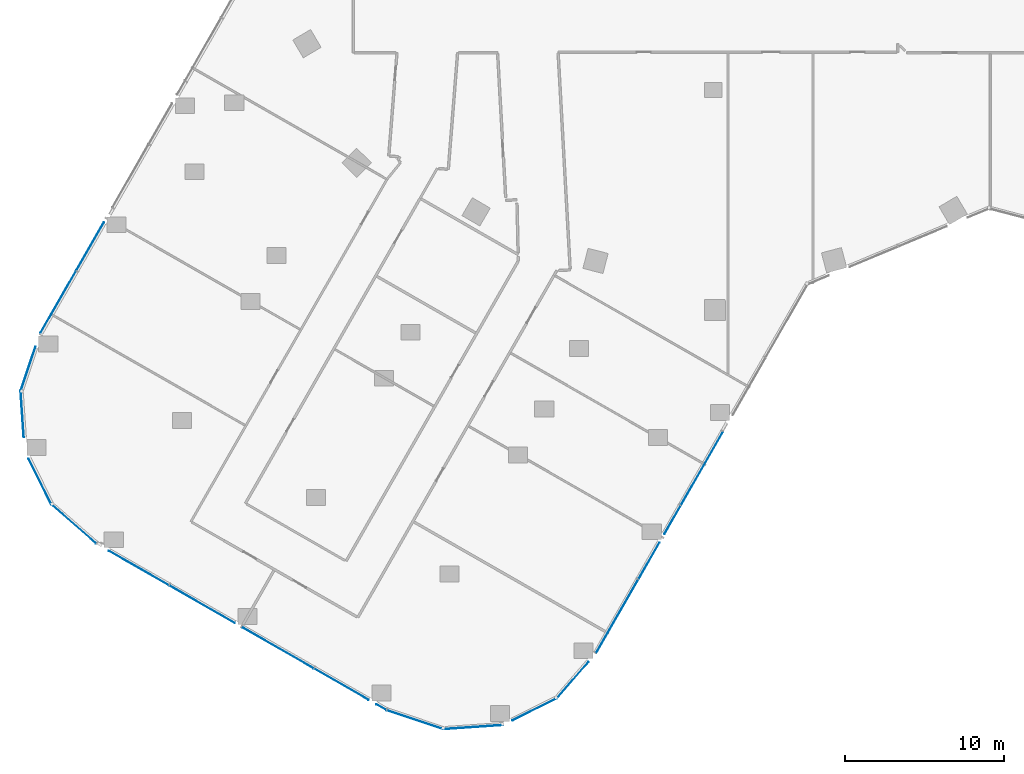
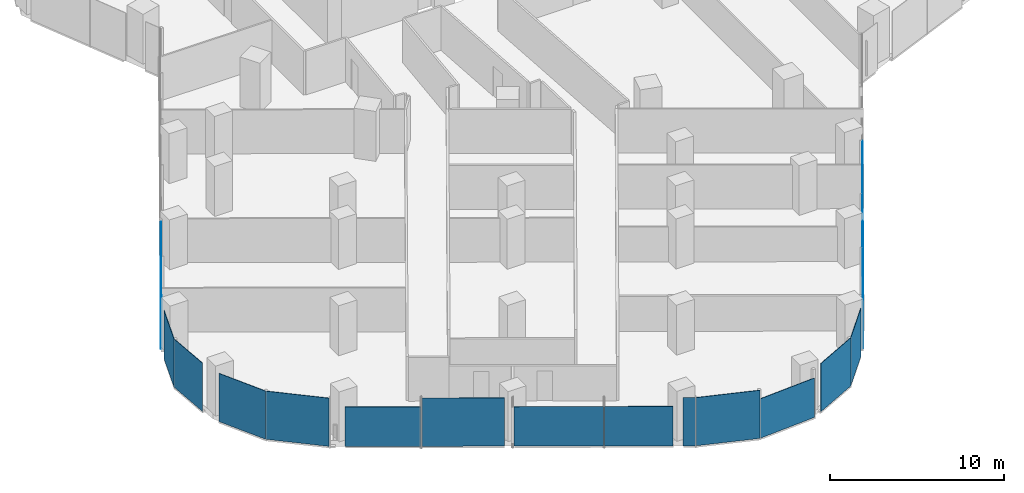
# One storey, part 18 of 35: 19 plates, 11 elements without a shape of their own.
"""IFC4 building model written with IfcOpenShell, lengths in metres."""

from ifc_helpers import new_model, si_unit, direction, frame, origin, origin_2d, place, context, subcontext, project, spatial, rectangle, extrude, material, layer, layer_set, type_object, element, aggregate, save


model = new_model("IFC4")

# Units and contexts
model_context = context("Model", 3, precision=1e-05, world=origin(), true_north=direction((0.0, 1.0)))
body_context = subcontext(model_context, "Body", "Model", "MODEL_VIEW")
ifc_project = project(units=[si_unit("LENGTHUNIT", "METRE"), si_unit("AREAUNIT", "SQUARE_METRE"), si_unit("VOLUMEUNIT", "CUBIC_METRE"), si_unit("PLANEANGLEUNIT", "RADIAN"), si_unit("MASSUNIT", "GRAM", prefix="KILO")], contexts=[model_context])

# Site, building, storey
site_placement = place(None, origin())
site = spatial("IfcSite", under=ifc_project, at=site_placement, CompositionType="ELEMENT")
building_placement = place(site_placement, origin())
building = spatial("IfcBuilding", under=site, at=building_placement, Name="Orlundy Tower", CompositionType="ELEMENT")
storey_placement = place(building_placement, frame((0.0, 0.0, 116.199951171875)))
storey = spatial("IfcBuildingStorey", under=building, at=storey_placement, Name="L29", CompositionType="ELEMENT", Elevation=116.199951171875)

# Curtain wall, plates
ifc_material_1 = material(Name="Aluminium bronze anodised", Category="aluminium")
curtain_wall_type = type_object("IfcCurtainWallType", Name="CW1 wall", PredefinedType="NOTDEFINED", material=ifc_material_1)
curtain_wall_1_placement = place(storey_placement, origin())
curtain_wall_1 = element("IfcCurtainWall", 1, at=curtain_wall_1_placement, inside=storey, type_object=curtain_wall_type, Name="CW1 run 02", PredefinedType="NOTDEFINED")
ifc_material_2 = material(Name="Tinted glass", Category="glass")
ifc_layer = layer(ifc_material_2, 0.031982421875)
ifc_layer_set = layer_set([ifc_layer], Name="CW1 glass panel 32")
plate_type = type_object("IfcPlateType", Name="CW1 glass panel 32", PredefinedType="CURTAIN_PANEL", material=ifc_layer_set)
plate_1_placement = place(storey_placement, frame((-0.7197265625, -41.78759765625, -0.27978515625), z_axis=(0.0, 0.0, 1.0), x_axis=(-0.497473280125, -0.867479299789, 0.0)))
plate_1 = element("IfcPlate", 2, at=plate_1_placement, type_object=plate_type, Name="CW1 panel", PredefinedType="CURTAIN_PANEL", context=body_context, shape_type="SweptSolid", body=[
    extrude(rectangle(XDim=5.306640625, YDim=0.031982421875, at=origin_2d()), origin(), (0.0, 0.0, 1.0), 3.3798828125),
])
plate_2_placement = place(storey_placement, frame((-2.57373046875, -45.0205078125, -0.27978515625), z_axis=(0.0, 0.0, 1.0), x_axis=(-0.497473280125, -0.867479299789, 0.0)))
plate_2 = element("IfcPlate", 3, at=plate_2_placement, type_object=plate_type, Name="CW1 panel", PredefinedType="CURTAIN_PANEL", context=body_context, shape_type="SweptSolid", body=[
    extrude(rectangle(XDim=2.047119140625, YDim=0.031982421875, at=origin_2d()), origin(), (0.0, 0.0, 1.0), 3.3798828125),
])
plate_3_placement = place(storey_placement, frame((-4.053955078125, -47.6015625, -0.27978515625), z_axis=(0.0, 0.0, 1.0), x_axis=(-0.497473280125, -0.867479299789, 0.0)))
plate_3 = element("IfcPlate", 4, at=plate_3_placement, type_object=plate_type, Name="CW1 panel", PredefinedType="CURTAIN_PANEL", context=body_context, shape_type="SweptSolid", body=[
    extrude(rectangle(XDim=2.61572265625, YDim=0.031982421875, at=origin_2d()), origin(), (0.0, 0.0, 1.0), 3.3798828125),
])
plate_4_placement = place(storey_placement, frame((-6.05322265625, -51.088134765625, -0.27978515625), z_axis=(0.0, 0.0, 1.0), x_axis=(-0.497473280125, -0.867479299789, 0.0)))
plate_4 = element("IfcPlate", 5, at=plate_4_placement, type_object=plate_type, Name="CW1 panel", PredefinedType="CURTAIN_PANEL", context=body_context, shape_type="SweptSolid", body=[
    extrude(rectangle(XDim=5.32275390625, YDim=0.031982421875, at=origin_2d()), origin(), (0.0, 0.0, 1.0), 3.3798828125),
])
aggregate(curtain_wall_1, [plate_1, plate_2, plate_3, plate_4])

# Curtain wall, plate
curtain_wall_2_placement = place(storey_placement, origin())
curtain_wall_2 = element("IfcCurtainWall", 6, at=curtain_wall_2_placement, inside=storey, type_object=curtain_wall_type, Name="CW1 run 03", PredefinedType="NOTDEFINED")
plate_5_placement = place(storey_placement, frame((-8.857177734375, -55.1015625, -0.27978515625), z_axis=(0.0, 0.0, 1.0), x_axis=(-0.657166641446, -0.753745318639, 0.0)))
plate_5 = element("IfcPlate", 7, at=plate_5_placement, type_object=plate_type, Name="CW1 panel", PredefinedType="CURTAIN_PANEL", context=body_context, shape_type="SweptSolid", body=[
    extrude(rectangle(XDim=3.045166015625, YDim=0.031982421875, at=origin_2d()), origin(), (0.0, 0.0, 1.0), 3.3798828125),
])
aggregate(curtain_wall_2, [plate_5])

curtain_wall_3_placement = place(storey_placement, origin())
curtain_wall_3 = element("IfcCurtainWall", 8, at=curtain_wall_3_placement, inside=storey, type_object=curtain_wall_type, Name="CW1 run 04", PredefinedType="NOTDEFINED")
plate_6_placement = place(storey_placement, frame((-11.247314453125, -56.939453125, -0.27978515625), z_axis=(0.0, 0.0, 1.0), x_axis=(-0.895610995013, -0.444838111689, 0.0)))
plate_6 = element("IfcPlate", 9, at=plate_6_placement, type_object=plate_type, Name="CW1 panel", PredefinedType="CURTAIN_PANEL", context=body_context, shape_type="SweptSolid", body=[
    extrude(rectangle(XDim=3.10302734375, YDim=0.031982421875, at=origin_2d()), origin(), (0.0, 0.0, 1.0), 3.3798828125),
])
aggregate(curtain_wall_3, [plate_6])

curtain_wall_4_placement = place(storey_placement, origin())
curtain_wall_4 = element("IfcCurtainWall", 10, at=curtain_wall_4_placement, inside=storey, type_object=curtain_wall_type, Name="CW1 run 05", PredefinedType="NOTDEFINED")
plate_7_placement = place(storey_placement, frame((-15.11767578125, -58.056640625, -0.27978515625), z_axis=(0.0, 0.0, 1.0), x_axis=(-0.99764944579, -0.068524326451, 0.0)))
plate_7 = element("IfcPlate", 11, at=plate_7_placement, type_object=plate_type, Name="CW1 panel", PredefinedType="CURTAIN_PANEL", context=body_context, shape_type="SweptSolid", body=[
    extrude(rectangle(XDim=3.77197265625, YDim=0.031982421875, at=origin_2d()), origin(), (0.0, 0.0, 1.0), 2.763916015625),
])
aggregate(curtain_wall_4, [plate_7])

curtain_wall_5_placement = place(storey_placement, origin())
curtain_wall_5 = element("IfcCurtainWall", 12, at=curtain_wall_5_placement, inside=storey, type_object=curtain_wall_type, Name="CW1 run 06", PredefinedType="NOTDEFINED")
plate_8_placement = place(storey_placement, frame((-18.76708984375, -57.591064453125, -0.27978515625), z_axis=(0.0, 0.0, 1.0), x_axis=(-0.947789215135, 0.318897481446, 0.0)))
plate_8 = element("IfcPlate", 13, at=plate_8_placement, type_object=plate_type, Name="CW1 panel", PredefinedType="CURTAIN_PANEL", context=body_context, shape_type="SweptSolid", body=[
    extrude(rectangle(XDim=3.730224609375, YDim=0.031982421875, at=origin_2d()), origin(), (0.0, 0.0, 1.0), 3.3798828125),
])
aggregate(curtain_wall_5, [plate_8])

# Curtain wall, plates
curtain_wall_6_placement = place(storey_placement, origin())
curtain_wall_6 = element("IfcCurtainWall", 14, at=curtain_wall_6_placement, inside=storey, type_object=curtain_wall_type, Name="CW1 run 07", PredefinedType="NOTDEFINED")
plate_9_placement = place(storey_placement, frame((-20.890625, -56.7978515625, -0.27978515625), z_axis=(0.0, 0.0, 1.0), x_axis=(-0.867477274334, 0.497476812036, 0.0)))
plate_9 = element("IfcPlate", 15, at=plate_9_placement, type_object=plate_type, Name="CW1 panel", PredefinedType="CURTAIN_PANEL", context=body_context, shape_type="SweptSolid", body=[
    extrude(rectangle(XDim=0.715087890625, YDim=0.031982421875, at=origin_2d()), origin(), (0.0, 0.0, 1.0), 3.3798828125),
])
plate_10_placement = place(storey_placement, frame((-23.39599609375, -55.361083984375, -0.27978515625), z_axis=(0.0, 0.0, 1.0), x_axis=(-0.867477274334, 0.497476812036, 0.0)))
plate_10 = element("IfcPlate", 16, at=plate_10_placement, type_object=plate_type, Name="CW1 panel", PredefinedType="CURTAIN_PANEL", context=body_context, shape_type="SweptSolid", body=[
    extrude(rectangle(XDim=3.9404296875, YDim=0.031982421875, at=origin_2d()), origin(), (0.0, 0.0, 1.0), 2.763916015625),
])
plate_11_placement = place(storey_placement, frame((-27.38232421875, -53.074951171875, -0.27978515625), z_axis=(0.0, 0.0, 1.0), x_axis=(-0.867477274334, 0.497476812036, 0.0)))
plate_11 = element("IfcPlate", 17, at=plate_11_placement, type_object=plate_type, Name="CW1 panel", PredefinedType="CURTAIN_PANEL", context=body_context, shape_type="SweptSolid", body=[
    extrude(rectangle(XDim=5.150146484375, YDim=0.031982421875, at=origin_2d()), origin(), (0.0, 0.0, 1.0), 2.763916015625),
])
plate_12_placement = place(storey_placement, frame((-32.1572265625, -50.336669921875, -0.27978515625), z_axis=(0.0, 0.0, 1.0), x_axis=(-0.867477274334, 0.497476812036, 0.0)))
plate_12 = element("IfcPlate", 18, at=plate_12_placement, type_object=plate_type, Name="CW1 panel", PredefinedType="CURTAIN_PANEL", context=body_context, shape_type="SweptSolid", body=[
    extrude(rectangle(XDim=4.740966796875, YDim=0.031982421875, at=origin_2d()), origin(), (0.0, 0.0, 1.0), 3.3798828125),
])
plate_13_placement = place(storey_placement, frame((-36.143310546875, -48.05078125, -0.27978515625), z_axis=(0.0, 0.0, 1.0), x_axis=(-0.867477274334, 0.497476812036, 0.0)))
plate_13 = element("IfcPlate", 19, at=plate_13_placement, type_object=plate_type, Name="CW1 panel", PredefinedType="CURTAIN_PANEL", context=body_context, shape_type="SweptSolid", body=[
    extrude(rectangle(XDim=4.34912109375, YDim=0.031982421875, at=origin_2d()), origin(), (0.0, 0.0, 1.0), 2.763916015625),
])
aggregate(curtain_wall_6, [plate_9, plate_10, plate_11, plate_12, plate_13])

# Curtain wall, plate
curtain_wall_7_placement = place(storey_placement, origin())
curtain_wall_7 = element("IfcCurtainWall", 20, at=curtain_wall_7_placement, inside=storey, type_object=curtain_wall_type, Name="CW1 run 08", PredefinedType="NOTDEFINED")
plate_14_placement = place(storey_placement, frame((-40.228515625, -45.282958984375, -0.27978515625), z_axis=(0.0, 0.0, 1.0), x_axis=(-0.753745318639, 0.657166641446, 0.0)))
plate_14 = element("IfcPlate", 21, at=plate_14_placement, type_object=plate_type, Name="CW1 panel", PredefinedType="CURTAIN_PANEL", context=body_context, shape_type="SweptSolid", body=[
    extrude(rectangle(XDim=3.73046875, YDim=0.031982421875, at=origin_2d()), origin(), (0.0, 0.0, 1.0), 3.3798828125),
])
aggregate(curtain_wall_7, [plate_14])

curtain_wall_8_placement = place(storey_placement, origin())
curtain_wall_8 = element("IfcCurtainWall", 22, at=curtain_wall_8_placement, inside=storey, type_object=curtain_wall_type, Name="CW1 run 09", PredefinedType="NOTDEFINED")
plate_15_placement = place(storey_placement, frame((-42.349853515625, -42.6181640625, -0.27978515625), z_axis=(0.0, 0.0, 1.0), x_axis=(-0.445161977313, 0.895450062234, 0.0)))
plate_15 = element("IfcPlate", 23, at=plate_15_placement, type_object=plate_type, Name="CW1 panel", PredefinedType="CURTAIN_PANEL", context=body_context, shape_type="SweptSolid", body=[
    extrude(rectangle(XDim=3.21435546875, YDim=0.031982421875, at=origin_2d()), origin(), (0.0, 0.0, 1.0), 3.3798828125),
])
aggregate(curtain_wall_8, [plate_15])

curtain_wall_9_placement = place(storey_placement, origin())
curtain_wall_9 = element("IfcCurtainWall", 24, at=curtain_wall_9_placement, inside=storey, type_object=curtain_wall_type, Name="CW1 run 010", PredefinedType="NOTDEFINED")
plate_16_placement = place(storey_placement, frame((-43.471435546875, -38.369873046875, -0.27978515625), z_axis=(0.0, 0.0, 1.0), x_axis=(-0.068255804988, 0.997667853088, 0.0)))
plate_16 = element("IfcPlate", 25, at=plate_16_placement, type_object=plate_type, Name="CW1 panel", PredefinedType="CURTAIN_PANEL", context=body_context, shape_type="SweptSolid", body=[
    extrude(rectangle(XDim=2.913330078125, YDim=0.031982421875, at=origin_2d()), origin(), (0.0, 0.0, 1.0), 3.3798828125),
])
aggregate(curtain_wall_9, [plate_16])

curtain_wall_10_placement = place(storey_placement, origin())
curtain_wall_10 = element("IfcCurtainWall", 26, at=curtain_wall_10_placement, inside=storey, type_object=curtain_wall_type, Name="CW1 run 011", PredefinedType="NOTDEFINED")
plate_17_placement = place(storey_placement, frame((-43.101318359375, -35.52099609375, -0.27978515625), z_axis=(0.0, 0.0, 1.0), x_axis=(0.318815956268, 0.947816641566, 0.0)))
plate_17 = element("IfcPlate", 27, at=plate_17_placement, type_object=plate_type, Name="CW1 panel", PredefinedType="CURTAIN_PANEL", context=body_context, shape_type="SweptSolid", body=[
    extrude(rectangle(XDim=2.94482421875, YDim=0.031982421875, at=origin_2d()), origin(), (0.0, 0.0, 1.0), 3.3798828125),
])
aggregate(curtain_wall_10, [plate_17])

# Curtain wall, plates
curtain_wall_11_placement = place(storey_placement, origin())
curtain_wall_11 = element("IfcCurtainWall", 28, at=curtain_wall_11_placement, inside=storey, type_object=curtain_wall_type, Name="CW1 run 012", PredefinedType="NOTDEFINED")
plate_18_placement = place(storey_placement, frame((-41.205322265625, -31.31982421875, -0.27978515625), z_axis=(0.0, 0.0, 1.0), x_axis=(0.497468306172, 0.867482152182, 0.0)))
plate_18 = element("IfcPlate", 29, at=plate_18_placement, type_object=plate_type, Name="CW1 panel", PredefinedType="CURTAIN_PANEL", context=body_context, shape_type="SweptSolid", body=[
    extrude(rectangle(XDim=4.4638671875, YDim=0.031982421875, at=origin_2d()), origin(), (0.0, 0.0, 1.0), 3.3798828125),
])
plate_19_placement = place(storey_placement, frame((-39.20556640625, -27.83251953125, -0.27978515625), z_axis=(0.0, 0.0, 1.0), x_axis=(0.497468306172, 0.867482152182, 0.0)))
plate_19 = element("IfcPlate", 30, at=plate_19_placement, type_object=plate_type, Name="CW1 panel", PredefinedType="CURTAIN_PANEL", context=body_context, shape_type="SweptSolid", body=[
    extrude(rectangle(XDim=3.475830078125, YDim=0.031982421875, at=origin_2d()), origin(), (0.0, 0.0, 1.0), 3.3798828125),
])
aggregate(curtain_wall_11, [plate_18, plate_19])

save(model, "model.ifc")
